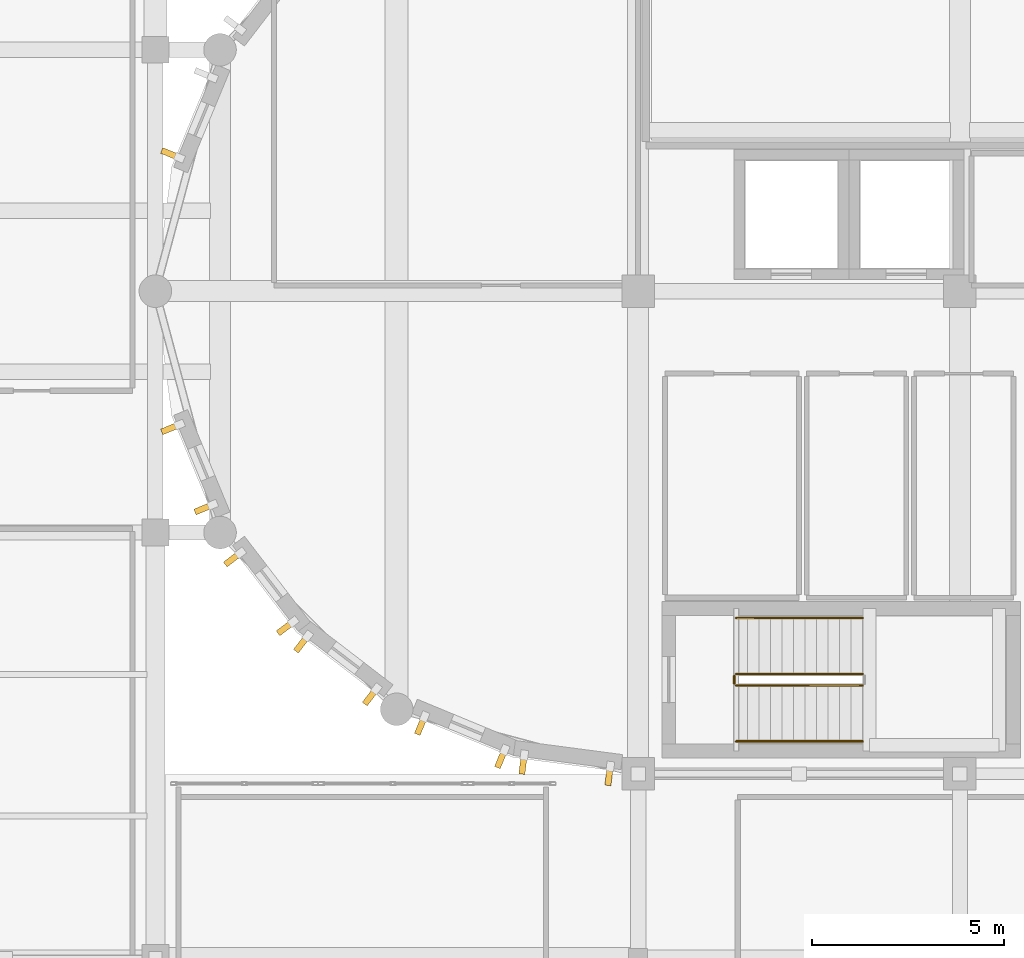
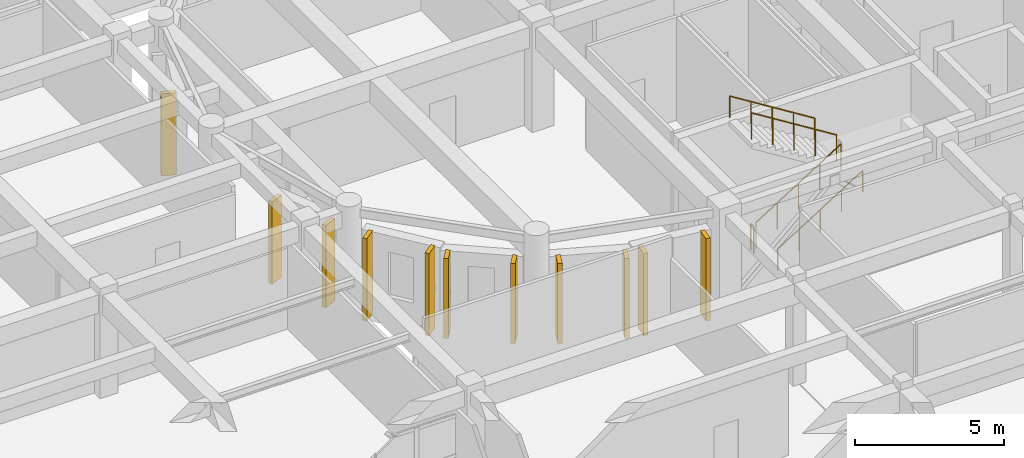
# One storey, part 85 of 92: 11 coverings, 5 railings.
"""IFC4 building model written with IfcOpenShell, lengths in metres."""

from ifc_helpers import new_model, si_unit, direction, frame, origin, origin_2d, place, context, subcontext, project, spatial, rectangle, circle, extrude, material, layer, layer_set, type_object, element, save


model = new_model("IFC4")

# Units and contexts
model_context = context("Model", 3, precision=1e-05, world=origin(), true_north=direction((0.0, 1.0)))
body_context = subcontext(model_context, "Body", "Model", "MODEL_VIEW")
ifc_project = project(units=[si_unit("LENGTHUNIT", "METRE"), si_unit("AREAUNIT", "SQUARE_METRE"), si_unit("VOLUMEUNIT", "CUBIC_METRE"), si_unit("PLANEANGLEUNIT", "RADIAN"), si_unit("MASSUNIT", "GRAM", prefix="KILO")], contexts=[model_context])

# Site, building, storey
site_placement = place(None, origin())
site = spatial("IfcSite", under=ifc_project, at=site_placement, CompositionType="ELEMENT")
building_placement = place(site_placement, origin())
building = spatial("IfcBuilding", under=site, at=building_placement, Name="Tarnavel Promenade Courthouse", CompositionType="ELEMENT")
storey_placement = place(building_placement, frame((0.0, 0.0, 5.39990234375)))
storey = spatial("IfcBuildingStorey", under=building, at=storey_placement, Name="L02", CompositionType="ELEMENT", Elevation=5.39990234375)

# Railings
ifc_material_1 = material(Name="Brushed Bronze Tubular Stair Handrail")
railing_type_1 = type_object("IfcRailingType", Name="Brushed Bronze Tubular Stair Handrail (RL-HND-0900)", PredefinedType="HANDRAIL", material=ifc_material_1)
railing_1_placement = place(storey_placement, frame((61.360107421875, 80.050048828125, 0.1875)))
element("IfcRailing", 1, at=railing_1_placement, inside=storey, type_object=railing_type_1, Name="L02 ST-01 stair handrail 1", PredefinedType="HANDRAIL", context=body_context, shape_type="SweptSolid", body=[
    extrude(circle(Radius=0.02392578125, at=origin_2d()), frame((0.0, 0.0, 0.8759765625), z_axis=(0.847984204989, 0.0, 0.530021497762), x_axis=(0.0, 1.0, 0.0)), (0.0, 0.0, 1.0), 3.891357421875),
    extrude(circle(Radius=0.02099609375, at=origin_2d()), origin(), (0.0, 0.0, 1.0), 0.851806640625),
    extrude(circle(Radius=0.02099609375, at=origin_2d()), frame((0.824951171875, 0.0, 0.515625)), (0.0, 0.0, 1.0), 0.851806640625),
    extrude(circle(Radius=0.02099609375, at=origin_2d()), frame((1.64990234375, 0.0, 1.03125)), (0.0, 0.0, 1.0), 0.851806640625),
    extrude(circle(Radius=0.02099609375, at=origin_2d()), frame((2.474853515625, 0.0, 1.546875)), (0.0, 0.0, 1.0), 0.851806640625),
    extrude(circle(Radius=0.02099609375, at=origin_2d()), frame((3.2998046875, 0.0, 2.0625)), (0.0, 0.0, 1.0), 0.851806640625),
])
railing_2_placement = place(storey_placement, frame((64.659912109375, 83.27001953125, 2.4375)))
element("IfcRailing", 2, at=railing_2_placement, inside=storey, type_object=railing_type_1, Name="L02 ST-01 stair handrail 2", PredefinedType="HANDRAIL", context=body_context, shape_type="SweptSolid", body=[
    extrude(circle(Radius=0.02392578125, at=origin_2d()), frame((0.0, 0.0, 0.8759765625), z_axis=(-0.847984204989, 0.0, 0.530021497762), x_axis=(0.0, -1.0, 0.0)), (0.0, 0.0, 1.0), 3.891357421875),
    extrude(circle(Radius=0.02099609375, at=origin_2d()), origin(), (0.0, 0.0, 1.0), 0.851806640625),
    extrude(circle(Radius=0.02099609375, at=origin_2d()), frame((-0.824951171875, 0.0, 0.515625)), (0.0, 0.0, 1.0), 0.851806640625),
    extrude(circle(Radius=0.02099609375, at=origin_2d()), frame((-1.64990234375, 0.0, 1.03125)), (0.0, 0.0, 1.0), 0.851806640625),
    extrude(circle(Radius=0.02099609375, at=origin_2d()), frame((-2.474853515625, 0.0, 1.546875)), (0.0, 0.0, 1.0), 0.851806640625),
    extrude(circle(Radius=0.02099609375, at=origin_2d()), frame((-3.2998046875, 0.0, 2.0625)), (0.0, 0.0, 1.0), 0.851806640625),
])
ifc_material_2 = material(Name="Painted Architectural Steel Core Stair Guardrail", Category="steel")
railing_type_2 = type_object("IfcRailingType", Name="Painted Architectural Steel Core Stair Guardrail (RL-GRD-1100)", PredefinedType="GUARDRAIL", material=ifc_material_2)
railing_3_placement = place(storey_placement, frame((61.360107421875, 81.510009765625, 0.1875)))
element("IfcRailing", 3, at=railing_3_placement, inside=storey, type_object=railing_type_2, Name="L02 ST-01 stair guard 1", PredefinedType="GUARDRAIL", context=body_context, shape_type="SweptSolid", body=[
    extrude(circle(Radius=0.02392578125, at=origin_2d()), frame((0.0, 0.0, 1.076171875), z_axis=(0.847984204989, 0.0, 0.530021497762), x_axis=(0.0, 1.0, 0.0)), (0.0, 0.0, 1.0), 3.891357421875),
    extrude(circle(Radius=0.02099609375, at=origin_2d()), origin(), (0.0, 0.0, 1.0), 1.052001953125),
    extrude(circle(Radius=0.02099609375, at=origin_2d()), frame((0.824951171875, 0.0, 0.515625)), (0.0, 0.0, 1.0), 1.052001953125),
    extrude(circle(Radius=0.02099609375, at=origin_2d()), frame((1.64990234375, 0.0, 1.03125)), (0.0, 0.0, 1.0), 1.052001953125),
    extrude(circle(Radius=0.02099609375, at=origin_2d()), frame((2.474853515625, 0.0, 1.546875)), (0.0, 0.0, 1.0), 1.052001953125),
    extrude(circle(Radius=0.02099609375, at=origin_2d()), frame((3.2998046875, 0.0, 2.0625)), (0.0, 0.0, 1.0), 1.052001953125),
])
railing_4_placement = place(storey_placement, frame((64.659912109375, 81.81005859375, 2.4375)))
element("IfcRailing", 4, at=railing_4_placement, inside=storey, type_object=railing_type_2, Name="L02 ST-01 stair guard 3", PredefinedType="GUARDRAIL", context=body_context, shape_type="SweptSolid", body=[
    extrude(circle(Radius=0.02392578125, at=origin_2d()), frame((0.0, 0.0, 1.076171875), z_axis=(-0.847984204989, 0.0, 0.530021497762), x_axis=(0.0, -1.0, 0.0)), (0.0, 0.0, 1.0), 3.891357421875),
    extrude(circle(Radius=0.02099609375, at=origin_2d()), origin(), (0.0, 0.0, 1.0), 1.052001953125),
    extrude(circle(Radius=0.02099609375, at=origin_2d()), frame((-0.824951171875, 0.0, 0.515625)), (0.0, 0.0, 1.0), 1.052001953125),
    extrude(circle(Radius=0.02099609375, at=origin_2d()), frame((-1.64990234375, 0.0, 1.03125)), (0.0, 0.0, 1.0), 1.052001953125),
    extrude(circle(Radius=0.02099609375, at=origin_2d()), frame((-2.474853515625, 0.0, 1.546875)), (0.0, 0.0, 1.0), 1.052001953125),
    extrude(circle(Radius=0.02099609375, at=origin_2d()), frame((-3.2998046875, 0.0, 2.0625)), (0.0, 0.0, 1.0), 1.052001953125),
])
railing_5_placement = place(storey_placement, frame((61.31005859375, 81.56005859375, 0.0)))
element("IfcRailing", 5, at=railing_5_placement, inside=storey, type_object=railing_type_2, Name="L02 ST-01 stair guard 4", PredefinedType="GUARDRAIL", context=body_context, shape_type="SweptSolid", body=[
    extrude(circle(Radius=0.02392578125, at=origin_2d()), frame((0.0, 0.0, 1.076171875), z_axis=(0.0, 1.0, 0.0), x_axis=(-1.0, 0.0, 0.0)), (0.0, 0.0, 1.0), 0.199951171875),
    extrude(circle(Radius=0.02099609375, at=origin_2d()), origin(), (0.0, 0.0, 1.0), 1.052001953125),
    extrude(circle(Radius=0.02099609375, at=origin_2d()), frame((0.0, 0.199951171875, 0.0)), (0.0, 0.0, 1.0), 1.052001953125),
])

# Coverings
ifc_material_3 = material(Name="Patinated Copper-Bronze Fluted Pier Cladding")
ifc_layer = layer(ifc_material_3, 0.52001953125)
ifc_layer_set = layer_set([ifc_layer], Name="Patinated Copper-Bronze Fluted Pier Cladding")
covering_type = type_object("IfcCoveringType", Name="Patinated Copper-Bronze Fluted Pier Cladding COV-PIER-520 (520 mm)", PredefinedType="CLADDING", material=ifc_layer_set)
for number, where, z_axis, x_axis, name in (
    (6, (46.607177734375, 95.373291015625, 0.0), (0.0, 0.0, 1.0), (-0.382683432365, -0.923879532511, 0.0), "L02 W Drum Fluted Copper Pier 0040"),
    (7, (46.607177734375, 88.2265625, 0.0), (0.0, 0.0, 1.0), (0.382683432365, -0.923879532511, 0.0), "L02 W Drum Fluted Copper Pier 0041"),
    (8, (47.4736328125, 86.134765625, 0.0), (0.0, 0.0, 1.0), (0.382683432365, -0.923879532511, 0.0), "L02 W Drum Fluted Copper Pier 0042"),
    (9, (48.23046875, 84.82373046875, 0.0), (0.0, 0.0, 1.0), (0.608761429009, -0.793353340291, 0.0), "L02 W Drum Fluted Copper Pier 0043"),
    (10, (49.60888671875, 83.02734375, 0.0), (0.0, 0.0, 1.0), (0.608761429009, -0.793353340291, 0.0), "L02 W Drum Fluted Copper Pier 0044"),
):
    element("IfcCovering", number, at=place(storey_placement, frame(where, z_axis=z_axis, x_axis=x_axis)), inside=storey, type_object=covering_type, Name=name, PredefinedType="CLADDING", context=body_context, shape_type="SweptSolid", body=[
        extrude(rectangle(XDim=0.159912109375, YDim=0.52001953125, at=origin_2d()), origin(), (0.0, 0.0, 1.0), 3.3701171875),
    ])
for number, where, z_axis, x_axis, name in (
    (11, (50.02734375, 82.60888671875, 0.0), (0.0, 0.0, 1.0), (0.793353340291, -0.608761429009, 0.0), "L02 W Drum Fluted Copper Pier 0045"),
    (12, (51.82373046875, 81.23046875, 0.0), (0.0, 0.0, 1.0), (0.793353340291, -0.608761429009, 0.0), "L02 W Drum Fluted Copper Pier 0046"),
    (13, (53.134765625, 80.4736328125, 0.0), (0.0, 0.0, 1.0), (0.923879532511, -0.382683432365, 0.0), "L02 W Drum Fluted Copper Pier 0047"),
    (14, (55.2265625, 79.607177734375, 0.0), (0.0, 0.0, 1.0), (0.923879532511, -0.382683432365, 0.0), "L02 W Drum Fluted Copper Pier 0048"),
):
    element("IfcCovering", number, at=place(storey_placement, frame(where, z_axis=z_axis, x_axis=x_axis)), inside=storey, type_object=covering_type, Name=name, PredefinedType="CLADDING", context=body_context, shape_type="SweptSolid", body=[
        extrude(rectangle(XDim=0.159912109375, YDim=0.52001953125, at=origin_2d()), origin(), (0.0, 0.0, 1.0), 3.27001953125),
    ])
for number, where, z_axis, x_axis, name in (
    (15, (55.798095703125, 79.4541015625, 0.0), (0.0, 0.0, 1.0), (0.991444861374, -0.13052619222, 0.0), "L02 W Drum Fluted Copper Pier 0049"),
    (16, (58.043212890625, 79.158447265625, 0.0), (0.0, 0.0, 1.0), (0.991444861374, -0.13052619222, 0.0), "L02 W Drum Fluted Copper Pier 0050"),
):
    element("IfcCovering", number, at=place(storey_placement, frame(where, z_axis=z_axis, x_axis=x_axis)), inside=storey, type_object=covering_type, Name=name, PredefinedType="CLADDING", context=body_context, shape_type="SweptSolid", body=[
        extrude(rectangle(XDim=0.159912109375, YDim=0.52001953125, at=origin_2d()), origin(), (0.0, 0.0, 1.0), 3.3701171875),
    ])

save(model, "model.ifc")
